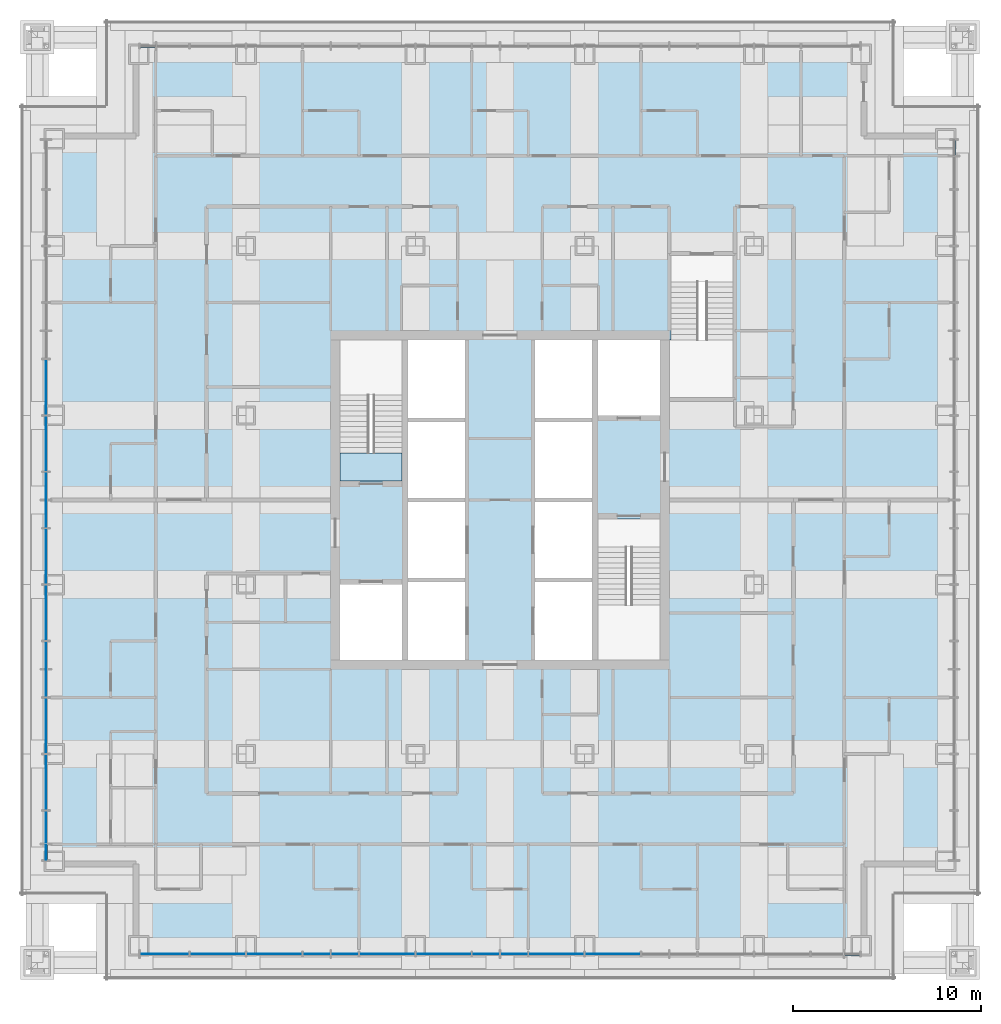
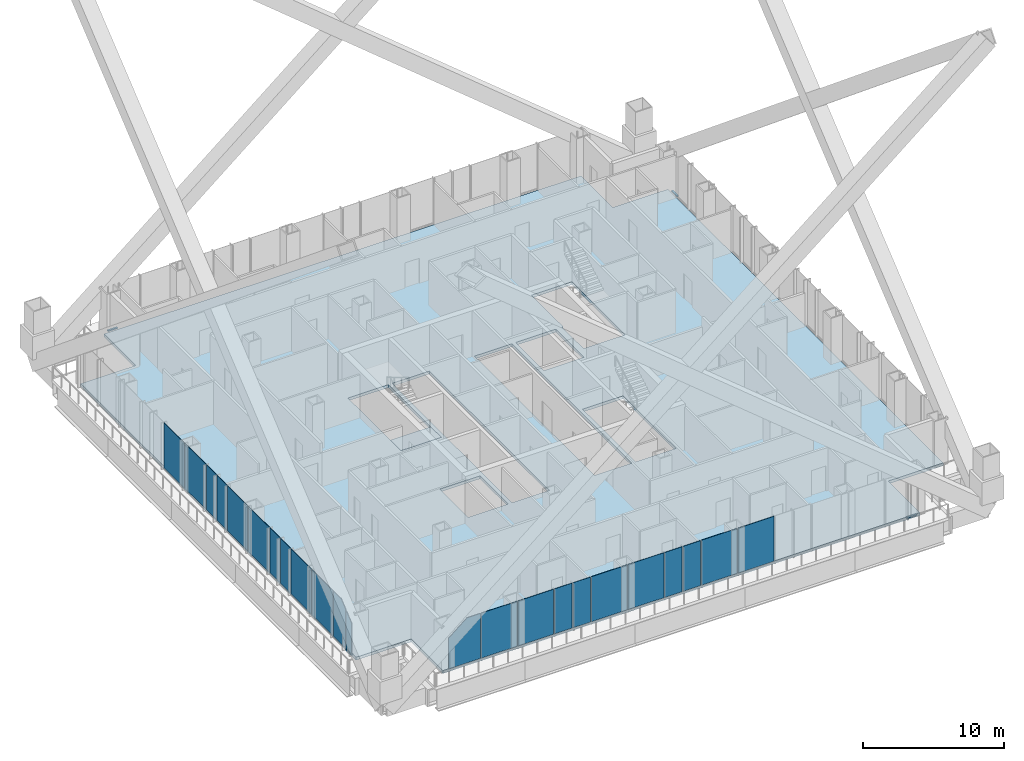
# One storey, part 12 of 20: 23 plates, 4 members, 2 slabs, 5 elements without a shape of their own.
"""IFC4 building model written with IfcOpenShell, lengths in metres."""

from ifc_helpers import new_model, si_unit, direction, frame, origin, origin_2d, place, context, subcontext, project, spatial, polyline, rectangle, outline, extrude, material, layer, layer_set, material_profile, profile_set, type_object, element, aggregate, save


model = new_model("IFC4")

# Units and contexts
model_context = context("Model", 3, precision=1e-05, world=origin(), true_north=direction((0.0, 1.0)))
body_context = subcontext(model_context, "Body", "Model", "MODEL_VIEW")
ifc_project = project(units=[si_unit("LENGTHUNIT", "METRE"), si_unit("AREAUNIT", "SQUARE_METRE"), si_unit("VOLUMEUNIT", "CUBIC_METRE"), si_unit("PLANEANGLEUNIT", "RADIAN"), si_unit("MASSUNIT", "GRAM", prefix="KILO")], contexts=[model_context])

# Site, building, storey
site_placement = place(None, origin())
site = spatial("IfcSite", under=ifc_project, at=site_placement, CompositionType="ELEMENT")
building_placement = place(site_placement, origin())
building = spatial("IfcBuilding", under=site, at=building_placement, Name="Malebo Sky Hospital", CompositionType="ELEMENT")
storey_placement = place(building_placement, frame((0.0, 0.0, 100.0)))
storey = spatial("IfcBuildingStorey", under=building, at=storey_placement, Name="L23", CompositionType="ELEMENT", Elevation=100.0)

# Curtain wall, member
ifc_material_1 = material(Name="Anodised aluminium, natural silver", Category="aluminium")
ifc_layer_1 = layer(ifc_material_1, 0.25)
ifc_layer_set_1 = layer_set([ifc_layer_1], Name="WARD CURTAIN WALL NORTH AND SOUTH")
curtain_wall_type_1 = type_object("IfcCurtainWallType", Name="WARD CURTAIN WALL NORTH AND SOUTH", PredefinedType="NOTDEFINED", material=ifc_layer_set_1)
curtain_wall_1_placement = place(storey_placement, origin())
curtain_wall_1 = element("IfcCurtainWall", 1, at=curtain_wall_1_placement, inside=storey, type_object=curtain_wall_type_1, Name="NS curtain wall N", PredefinedType="NOTDEFINED")
ifc_material_profile = material_profile(ifc_material_1, rectangle(XDim=0.14990234375, YDim=0.10009765625, at=origin_2d()), Name="ALUMINIUM TRANSOM 150x100")
ifc_profile_set = profile_set([ifc_material_profile], Name="Anodised aluminium, natural silver")
member_type = type_object("IfcMemberType", Name="ALUMINIUM TRANSOM 150x100", PredefinedType="USERDEFINED", material=ifc_profile_set)
member_1_placement = place(storey_placement, frame((40.875, 86.135009765625, 0.050048828125), z_axis=(1.0, 0.0, 0.0), x_axis=(0.0, 1.0, 0.0)))
member_1 = element("IfcMember", 2, at=member_1_placement, type_object=member_type, Name="Transom 1", ObjectType="TRANSOM", PredefinedType="USERDEFINED", context=body_context, shape_type="SweptSolid", body=[
    extrude(rectangle(XDim=0.14990234375, YDim=0.10009765625, at=origin_2d()), origin(), (0.0, 0.0, 1.0), 0.78759765625),
])
aggregate(curtain_wall_1, [member_1])

ifc_layer_2 = layer(ifc_material_1, 0.25)
ifc_layer_set_2 = layer_set([ifc_layer_2], Name="WARD CURTAIN WALL EAST AND WEST")
curtain_wall_type_2 = type_object("IfcCurtainWallType", Name="WARD CURTAIN WALL EAST AND WEST", PredefinedType="NOTDEFINED", material=ifc_layer_set_2)
curtain_wall_2_placement = place(storey_placement, origin())
curtain_wall_2 = element("IfcCurtainWall", 3, at=curtain_wall_2_placement, inside=storey, type_object=curtain_wall_type_2, Name="EW curtain wall W", PredefinedType="NOTDEFINED")
member_2_placement = place(storey_placement, frame((35.864990234375, 42.875, 0.050048828125), z_axis=(0.0, 1.0, 0.0), x_axis=(-1.0, 0.0, 0.0)))
member_2 = element("IfcMember", 4, at=member_2_placement, type_object=member_type, Name="Transom 1", ObjectType="TRANSOM", PredefinedType="USERDEFINED", context=body_context, shape_type="SweptSolid", body=[
    extrude(rectangle(XDim=0.14990234375, YDim=0.10009765625, at=origin_2d()), origin(), (0.0, 0.0, 1.0), 0.78759765625),
])

curtain_wall_3_placement = place(storey_placement, origin())
curtain_wall_3 = element("IfcCurtainWall", 5, at=curtain_wall_3_placement, inside=storey, type_object=curtain_wall_type_1, Name="NS curtain wall S", PredefinedType="NOTDEFINED")
member_3_placement = place(storey_placement, frame((79.125, 37.864990234375, 0.050048828125), z_axis=(-1.0, 0.0, 0.0), x_axis=(0.0, -1.0, 0.0)))
member_3 = element("IfcMember", 6, at=member_3_placement, type_object=member_type, Name="Transom 1", ObjectType="TRANSOM", PredefinedType="USERDEFINED", context=body_context, shape_type="SweptSolid", body=[
    extrude(rectangle(XDim=0.14990234375, YDim=0.10009765625, at=origin_2d()), origin(), (0.0, 0.0, 1.0), 0.78759765625),
])

curtain_wall_4_placement = place(storey_placement, origin())
curtain_wall_4 = element("IfcCurtainWall", 7, at=curtain_wall_4_placement, inside=storey, type_object=curtain_wall_type_2, Name="EW curtain wall E", PredefinedType="NOTDEFINED")
member_4_placement = place(storey_placement, frame((84.135009765625, 81.125, 0.050048828125), z_axis=(0.0, -1.0, 0.0), x_axis=(1.0, 0.0, 0.0)))
member_4 = element("IfcMember", 8, at=member_4_placement, type_object=member_type, Name="Transom 1", ObjectType="TRANSOM", PredefinedType="USERDEFINED", context=body_context, shape_type="SweptSolid", body=[
    extrude(rectangle(XDim=0.14990234375, YDim=0.10009765625, at=origin_2d()), origin(), (0.0, 0.0, 1.0), 0.78759765625),
])
aggregate(curtain_wall_4, [member_4])

# Slab
ifc_material_2 = material(Name="Concrete C40/50", Category="concrete")
ifc_layer_3 = layer(ifc_material_2, 0.25)
ifc_layer_set_3 = layer_set([ifc_layer_3], Name="COMPOSITE FLOOR SLAB 250")
slab_type_1 = type_object("IfcSlabType", Name="COMPOSITE FLOOR SLAB 250", PredefinedType="FLOOR", material=ifc_layer_set_3)
slab_1_placement = place(storey_placement, frame((0.0, 0.0, -0.25)))
element("IfcSlab", 9, at=slab_1_placement, inside=storey, type_object=slab_type_1, Name="Floor slab L23", PredefinedType="FLOOR", context=body_context, shape_type="SweptSolid", body=[
    extrude(outline(polyline([(40.5, 86.0), (40.5, 81.5), (36.0, 81.5), (36.0, 42.5), (40.5, 42.5), (40.5, 38.0), (79.5, 38.0), (79.5, 42.5), (84.0, 42.5), (84.0, 81.5), (79.5, 81.5), (79.5, 86.0), (40.5, 86.0)]), holes=[polyline([(55.10009765625, 70.5), (58.14990234375, 70.5), (58.14990234375, 53.5), (55.10009765625, 53.5), (55.10009765625, 70.5)]), polyline([(64.89990234375, 70.5), (64.89990234375, 53.5), (61.85009765625, 53.5), (61.85009765625, 70.5), (64.89990234375, 70.5)]), polyline([(54.800048828125, 63.0), (51.5, 63.0), (51.5, 70.5), (54.800048828125, 70.5), (54.800048828125, 63.0)]), polyline([(51.5, 53.5), (51.5, 57.5), (54.800048828125, 57.5), (54.800048828125, 53.5), (51.5, 53.5)]), polyline([(65.199951171875, 61.0), (68.5, 61.0), (68.5, 53.5), (65.199951171875, 53.5), (65.199951171875, 61.0)]), polyline([(68.5, 70.5), (68.5, 66.5), (65.199951171875, 66.5), (65.199951171875, 70.5), (68.5, 70.5)]), polyline([(69.0, 67.449951171875), (69.0, 70.52001953125), (69.10009765625, 70.52001953125), (69.10009765625, 75.0), (72.39990234375, 75.0), (72.39990234375, 67.449951171875), (69.10009765625, 67.449951171875), (69.0, 67.449951171875)])]), origin(), (0.0, 0.0, 1.0), 0.25),
])

# Stair, slab
stair_type = type_object("IfcStairType", Name="HALF-TURN STAIR 1500 R167", PredefinedType="HALF_TURN_STAIR", material=ifc_material_2)
stair_placement = place(storey_placement, origin())
stair = element("IfcStair", 10, at=stair_placement, inside=storey, type_object=stair_type, Name="Stair S1 L23 type ST1", PredefinedType="HALF_TURN_STAIR")
ifc_layer_4 = layer(ifc_material_2, 0.199951171875)
ifc_layer_set_4 = layer_set([ifc_layer_4], Name="STAIR LANDING 200")
slab_type_2 = type_object("IfcSlabType", Name="STAIR LANDING 200", PredefinedType="LANDING", material=ifc_layer_set_4)
slab_2_placement = place(storey_placement, frame((0.0, 0.0, -0.199951171875)))
slab_2 = element("IfcSlab", 11, at=slab_2_placement, type_object=slab_type_2, Name="S1 landing 1", PredefinedType="LANDING", context=body_context, shape_type="SweptSolid", body=[
    extrude(outline(polyline([(51.5, 63.0), (54.800048828125, 63.0), (54.800048828125, 64.5), (51.5, 64.5), (51.5, 63.0)])), origin(), (0.0, 0.0, 1.0), 0.199951171875),
])
aggregate(stair, [slab_2])

# Plate
ifc_material_3 = material(Name="Clear low-iron double glazing", Category="glass")
ifc_layer_5 = layer(ifc_material_3, 0.031982421875)
ifc_layer_set_5 = layer_set([ifc_layer_5], Name="VISION PANEL CLEAR 32")
plate_type = type_object("IfcPlateType", Name="VISION PANEL CLEAR 32", PredefinedType="CURTAIN_PANEL", material=ifc_layer_set_5)
plate_1_placement = place(storey_placement, frame((35.864990234375, 43.268798828125, 0.10009765625), z_axis=(0.0, 0.0, 1.0), x_axis=(0.0, 1.0, 0.0)))
plate_1 = element("IfcPlate", 12, at=plate_1_placement, type_object=plate_type, Name="Panel 1", PredefinedType="CURTAIN_PANEL", context=body_context, shape_type="SweptSolid", body=[
    extrude(outline(polyline([(-0.393798828125, 0.0), (0.393798828125, 0.0), (0.393798828125, 3.301025390625), (-0.393798828125, 2.652099609375), (-0.393798828125, 0.0)])), frame((0.0, 0.01611328125, 0.0), z_axis=(0.0, -1.0, 0.0), x_axis=(1.0, 0.0, 0.0)), (0.0, 0.0, 1.0), 0.031982421875),
])

plate_2_placement = place(storey_placement, frame((35.864990234375, 44.60009765625, 0.10009765625), z_axis=(0.0, 0.0, 1.0), x_axis=(0.0, 1.0, 0.0)))
plate_2 = element("IfcPlate", 13, at=plate_2_placement, type_object=plate_type, Name="Panel 2", PredefinedType="CURTAIN_PANEL", context=body_context, shape_type="SweptSolid", body=[
    extrude(outline(polyline([(-0.862548828125, 0.0), (0.862548828125, 0.0), (0.862548828125, 3.889892578125), (-0.222900390625, 3.889892578125), (-0.862548828125, 3.36279296875), (-0.862548828125, 0.0)])), frame((0.0, 0.01611328125, 0.0), z_axis=(0.0, -1.0, 0.0), x_axis=(1.0, 0.0, 0.0)), (0.0, 0.0, 1.0), 0.031982421875),
])

plate_3_placement = place(storey_placement, frame((35.864990234375, 47.0, 0.10009765625), z_axis=(0.0, 0.0, 1.0), x_axis=(0.0, 1.0, 0.0)))
plate_3 = element("IfcPlate", 14, at=plate_3_placement, type_object=plate_type, Name="Panel 3", PredefinedType="CURTAIN_PANEL", context=body_context, shape_type="SweptSolid", body=[
    extrude(rectangle(XDim=2.925048828125, YDim=0.031982421875, at=origin_2d()), origin(), (0.0, 0.0, 1.0), 3.889892578125),
])

plate_4_placement = place(storey_placement, frame((35.864990234375, 50.0, 0.10009765625), z_axis=(0.0, 0.0, 1.0), x_axis=(0.0, 1.0, 0.0)))
plate_4 = element("IfcPlate", 15, at=plate_4_placement, type_object=plate_type, Name="Panel 4", PredefinedType="CURTAIN_PANEL", context=body_context, shape_type="SweptSolid", body=[
    extrude(rectangle(XDim=2.925048828125, YDim=0.031982421875, at=origin_2d()), origin(), (0.0, 0.0, 1.0), 3.889892578125),
])

plate_5_placement = place(storey_placement, frame((35.864990234375, 52.25, 0.10009765625), z_axis=(0.0, 0.0, 1.0), x_axis=(0.0, 1.0, 0.0)))
plate_5 = element("IfcPlate", 16, at=plate_5_placement, type_object=plate_type, Name="Panel 5", PredefinedType="CURTAIN_PANEL", context=body_context, shape_type="SweptSolid", body=[
    extrude(rectangle(XDim=1.425048828125, YDim=0.031982421875, at=origin_2d()), origin(), (0.0, 0.0, 1.0), 3.889892578125),
])

plate_6_placement = place(storey_placement, frame((35.864990234375, 53.75, 0.10009765625), z_axis=(0.0, 0.0, 1.0), x_axis=(0.0, 1.0, 0.0)))
plate_6 = element("IfcPlate", 17, at=plate_6_placement, type_object=plate_type, Name="Panel 6", PredefinedType="CURTAIN_PANEL", context=body_context, shape_type="SweptSolid", body=[
    extrude(rectangle(XDim=1.425048828125, YDim=0.031982421875, at=origin_2d()), origin(), (0.0, 0.0, 1.0), 3.889892578125),
])

plate_7_placement = place(storey_placement, frame((35.864990234375, 56.0, 0.10009765625), z_axis=(0.0, 0.0, 1.0), x_axis=(0.0, 1.0, 0.0)))
plate_7 = element("IfcPlate", 18, at=plate_7_placement, type_object=plate_type, Name="Panel 7", PredefinedType="CURTAIN_PANEL", context=body_context, shape_type="SweptSolid", body=[
    extrude(rectangle(XDim=2.925048828125, YDim=0.031982421875, at=origin_2d()), origin(), (0.0, 0.0, 1.0), 3.889892578125),
])

plate_8_placement = place(storey_placement, frame((35.864990234375, 59.0, 0.10009765625), z_axis=(0.0, 0.0, 1.0), x_axis=(0.0, 1.0, 0.0)))
plate_8 = element("IfcPlate", 19, at=plate_8_placement, type_object=plate_type, Name="Panel 8", PredefinedType="CURTAIN_PANEL", context=body_context, shape_type="SweptSolid", body=[
    extrude(rectangle(XDim=2.925048828125, YDim=0.031982421875, at=origin_2d()), origin(), (0.0, 0.0, 1.0), 3.889892578125),
])

plate_9_placement = place(storey_placement, frame((35.864990234375, 61.25, 0.10009765625), z_axis=(0.0, 0.0, 1.0), x_axis=(0.0, 1.0, 0.0)))
plate_9 = element("IfcPlate", 20, at=plate_9_placement, type_object=plate_type, Name="Panel 9", PredefinedType="CURTAIN_PANEL", context=body_context, shape_type="SweptSolid", body=[
    extrude(rectangle(XDim=1.425048828125, YDim=0.031982421875, at=origin_2d()), origin(), (0.0, 0.0, 1.0), 3.889892578125),
])

plate_10_placement = place(storey_placement, frame((35.864990234375, 62.75, 0.10009765625), z_axis=(0.0, 0.0, 1.0), x_axis=(0.0, 1.0, 0.0)))
plate_10 = element("IfcPlate", 21, at=plate_10_placement, type_object=plate_type, Name="Panel 10", PredefinedType="CURTAIN_PANEL", context=body_context, shape_type="SweptSolid", body=[
    extrude(rectangle(XDim=1.425048828125, YDim=0.031982421875, at=origin_2d()), origin(), (0.0, 0.0, 1.0), 3.889892578125),
])

plate_11_placement = place(storey_placement, frame((35.864990234375, 65.0, 0.10009765625), z_axis=(0.0, 0.0, 1.0), x_axis=(0.0, 1.0, 0.0)))
plate_11 = element("IfcPlate", 22, at=plate_11_placement, type_object=plate_type, Name="Panel 11", PredefinedType="CURTAIN_PANEL", context=body_context, shape_type="SweptSolid", body=[
    extrude(rectangle(XDim=2.925048828125, YDim=0.031982421875, at=origin_2d()), origin(), (0.0, 0.0, 1.0), 3.889892578125),
])

plate_12_placement = place(storey_placement, frame((35.864990234375, 68.0, 0.10009765625), z_axis=(0.0, 0.0, 1.0), x_axis=(0.0, 1.0, 0.0)))
plate_12 = element("IfcPlate", 23, at=plate_12_placement, type_object=plate_type, Name="Panel 12", PredefinedType="CURTAIN_PANEL", context=body_context, shape_type="SweptSolid", body=[
    extrude(rectangle(XDim=2.925048828125, YDim=0.031982421875, at=origin_2d()), origin(), (0.0, 0.0, 1.0), 3.889892578125),
])

aggregate(curtain_wall_2, [member_2, plate_1, plate_2, plate_3, plate_4, plate_5, plate_6, plate_7, plate_8, plate_9, plate_10, plate_11, plate_12])

plate_13_placement = place(storey_placement, frame((66.0, 37.864990234375, 0.10009765625), z_axis=(0.0, 0.0, 1.0), x_axis=(-1.0, 0.0, 0.0)))
plate_13 = element("IfcPlate", 24, at=plate_13_placement, type_object=plate_type, Name="Panel 7", PredefinedType="CURTAIN_PANEL", context=body_context, shape_type="SweptSolid", body=[
    extrude(rectangle(XDim=2.925048828125, YDim=0.031982421875, at=origin_2d()), origin(), (0.0, 0.0, 1.0), 3.889892578125),
])

plate_14_placement = place(storey_placement, frame((63.0, 37.864990234375, 0.10009765625), z_axis=(0.0, 0.0, 1.0), x_axis=(-1.0, 0.0, 0.0)))
plate_14 = element("IfcPlate", 25, at=plate_14_placement, type_object=plate_type, Name="Panel 8", PredefinedType="CURTAIN_PANEL", context=body_context, shape_type="SweptSolid", body=[
    extrude(rectangle(XDim=2.925048828125, YDim=0.031982421875, at=origin_2d()), origin(), (0.0, 0.0, 1.0), 3.889892578125),
])

plate_15_placement = place(storey_placement, frame((60.75, 37.864990234375, 0.10009765625), z_axis=(0.0, 0.0, 1.0), x_axis=(-1.0, 0.0, 0.0)))
plate_15 = element("IfcPlate", 26, at=plate_15_placement, type_object=plate_type, Name="Panel 9", PredefinedType="CURTAIN_PANEL", context=body_context, shape_type="SweptSolid", body=[
    extrude(rectangle(XDim=1.425048828125, YDim=0.031982421875, at=origin_2d()), origin(), (0.0, 0.0, 1.0), 3.889892578125),
])

plate_16_placement = place(storey_placement, frame((59.25, 37.864990234375, 0.10009765625), z_axis=(0.0, 0.0, 1.0), x_axis=(-1.0, 0.0, 0.0)))
plate_16 = element("IfcPlate", 27, at=plate_16_placement, type_object=plate_type, Name="Panel 10", PredefinedType="CURTAIN_PANEL", context=body_context, shape_type="SweptSolid", body=[
    extrude(rectangle(XDim=1.425048828125, YDim=0.031982421875, at=origin_2d()), origin(), (0.0, 0.0, 1.0), 3.889892578125),
])

plate_17_placement = place(storey_placement, frame((57.0, 37.864990234375, 0.10009765625), z_axis=(0.0, 0.0, 1.0), x_axis=(-1.0, 0.0, 0.0)))
plate_17 = element("IfcPlate", 28, at=plate_17_placement, type_object=plate_type, Name="Panel 11", PredefinedType="CURTAIN_PANEL", context=body_context, shape_type="SweptSolid", body=[
    extrude(rectangle(XDim=2.925048828125, YDim=0.031982421875, at=origin_2d()), origin(), (0.0, 0.0, 1.0), 3.889892578125),
])

plate_18_placement = place(storey_placement, frame((54.0, 37.864990234375, 0.10009765625), z_axis=(0.0, 0.0, 1.0), x_axis=(-1.0, 0.0, 0.0)))
plate_18 = element("IfcPlate", 29, at=plate_18_placement, type_object=plate_type, Name="Panel 12", PredefinedType="CURTAIN_PANEL", context=body_context, shape_type="SweptSolid", body=[
    extrude(rectangle(XDim=2.925048828125, YDim=0.031982421875, at=origin_2d()), origin(), (0.0, 0.0, 1.0), 3.889892578125),
])

plate_19_placement = place(storey_placement, frame((51.75, 37.864990234375, 0.10009765625), z_axis=(0.0, 0.0, 1.0), x_axis=(-1.0, 0.0, 0.0)))
plate_19 = element("IfcPlate", 30, at=plate_19_placement, type_object=plate_type, Name="Panel 13", PredefinedType="CURTAIN_PANEL", context=body_context, shape_type="SweptSolid", body=[
    extrude(rectangle(XDim=1.425048828125, YDim=0.031982421875, at=origin_2d()), origin(), (0.0, 0.0, 1.0), 3.889892578125),
])

plate_20_placement = place(storey_placement, frame((50.25, 37.864990234375, 0.10009765625), z_axis=(0.0, 0.0, 1.0), x_axis=(-1.0, 0.0, 0.0)))
plate_20 = element("IfcPlate", 31, at=plate_20_placement, type_object=plate_type, Name="Panel 14", PredefinedType="CURTAIN_PANEL", context=body_context, shape_type="SweptSolid", body=[
    extrude(rectangle(XDim=1.425048828125, YDim=0.031982421875, at=origin_2d()), origin(), (0.0, 0.0, 1.0), 3.889892578125),
])

plate_21_placement = place(storey_placement, frame((48.0, 37.864990234375, 0.10009765625), z_axis=(0.0, 0.0, 1.0), x_axis=(-1.0, 0.0, 0.0)))
plate_21 = element("IfcPlate", 32, at=plate_21_placement, type_object=plate_type, Name="Panel 15", PredefinedType="CURTAIN_PANEL", context=body_context, shape_type="SweptSolid", body=[
    extrude(rectangle(XDim=2.925048828125, YDim=0.031982421875, at=origin_2d()), origin(), (0.0, 0.0, 1.0), 3.889892578125),
])

plate_22_placement = place(storey_placement, frame((45.0, 37.864990234375, 0.10009765625), z_axis=(0.0, 0.0, 1.0), x_axis=(-1.0, 0.0, 0.0)))
plate_22 = element("IfcPlate", 33, at=plate_22_placement, type_object=plate_type, Name="Panel 16", PredefinedType="CURTAIN_PANEL", context=body_context, shape_type="SweptSolid", body=[
    extrude(rectangle(XDim=2.925048828125, YDim=0.031982421875, at=origin_2d()), origin(), (0.0, 0.0, 1.0), 3.889892578125),
])

plate_23_placement = place(storey_placement, frame((42.168701171875, 37.864990234375, 0.10009765625), z_axis=(0.0, 0.0, 1.0), x_axis=(-1.0, 0.0, 0.0)))
plate_23 = element("IfcPlate", 34, at=plate_23_placement, type_object=plate_type, Name="Panel 17", PredefinedType="CURTAIN_PANEL", context=body_context, shape_type="SweptSolid", body=[
    extrude(outline(polyline([(-1.293701171875, 0.0), (1.293701171875, 0.0), (1.293701171875, 2.652099609375), (-0.20849609375, 3.889892578125), (-1.293701171875, 3.889892578125), (-1.293701171875, 0.0)])), frame((0.0, 0.01611328125, 0.0), z_axis=(0.0, -1.0, 0.0), x_axis=(1.0, 0.0, 0.0)), (0.0, 0.0, 1.0), 0.031982421875),
])

aggregate(curtain_wall_3, [member_3, plate_13, plate_14, plate_15, plate_16, plate_17, plate_18, plate_19, plate_20, plate_21, plate_22, plate_23])

save(model, "model.ifc")
